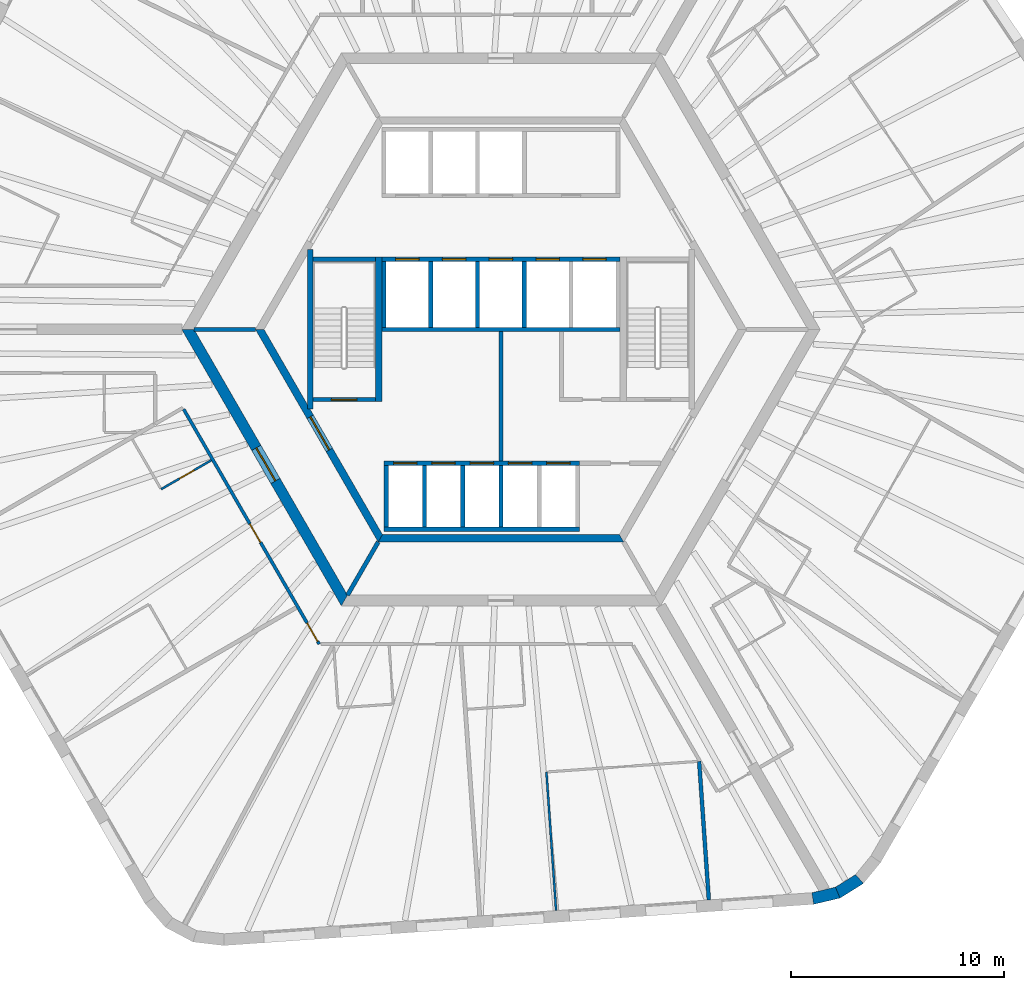
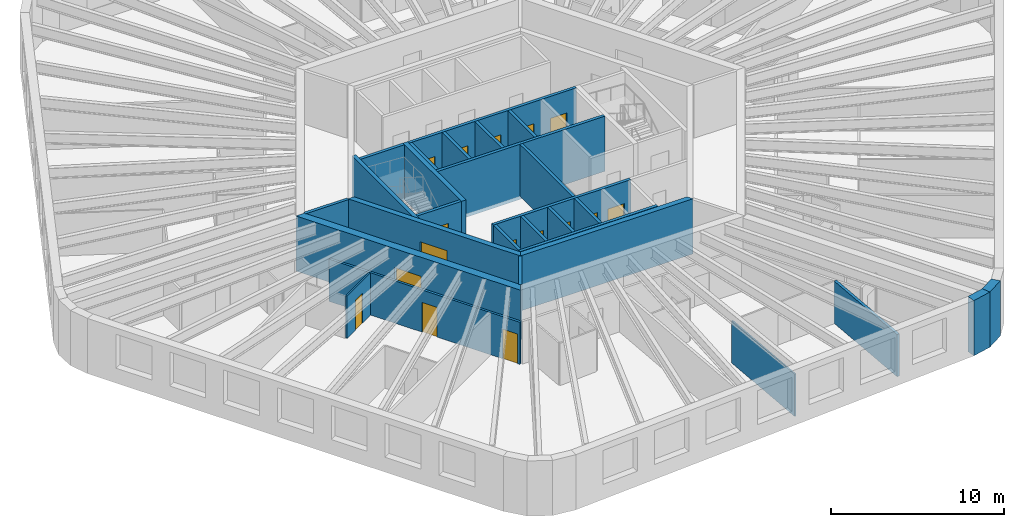
# One storey, part 4 of 10: 28 walls, 16 doors, 16 openings.
"""IFC4 building model written with IfcOpenShell, lengths in metres."""

from ifc_helpers import new_model, si_unit, direction, frame, frame_2d, origin, place, context, subcontext, project, spatial, polyline, rectangle, outline, extrude, material, layer, layer_set, type_object, element, fill, save


model = new_model("IFC4")

# Units and contexts
model_context = context("Model", 3, precision=1e-05, world=origin(), true_north=direction((0.0, 1.0)))
body_context = subcontext(model_context, "Body", "Model", "MODEL_VIEW")
ifc_project = project(units=[si_unit("LENGTHUNIT", "METRE"), si_unit("AREAUNIT", "SQUARE_METRE"), si_unit("VOLUMEUNIT", "CUBIC_METRE"), si_unit("PLANEANGLEUNIT", "RADIAN"), si_unit("MASSUNIT", "GRAM", prefix="KILO")], contexts=[model_context])

# Site, building, storey
site_placement = place(None, origin())
site = spatial("IfcSite", under=ifc_project, at=site_placement, CompositionType="ELEMENT")
building_placement = place(site_placement, origin())
building = spatial("IfcBuilding", under=site, at=building_placement, Name="Tarnside Tower", CompositionType="ELEMENT")
storey_placement = place(building_placement, frame((0.0, 0.0, 180.0)))
storey = spatial("IfcBuildingStorey", under=building, at=storey_placement, Name="L42", CompositionType="ELEMENT", Elevation=180.0)

# Wall, opening, door
ifc_material_1 = material(Name="Gypsum board partition on steel studs", Category="steel")
ifc_layer_1 = layer(ifc_material_1, 0.10009765625)
ifc_layer_set_1 = layer_set([ifc_layer_1], Name="Bathroom wall 100")
wall_type_1 = type_object("IfcWallType", Name="Bathroom wall 100", PredefinedType="PARTITIONING", material=ifc_layer_set_1)
wall_1_placement = place(storey_placement, frame((-13.623291015625, -6.154052734375, 0.0), z_axis=(0.0, 0.0, 1.0), x_axis=(-0.866051307416, -0.49995513091, 0.0)))
wall_1 = element("IfcWall", 1, at=wall_1_placement, inside=storey, type_object=wall_type_1, Name="Bathroom wall 13075", PredefinedType="PARTITIONING", context=body_context, shape_type="SweptSolid", body=[
    extrude(rectangle(XDim=2.724853515625, YDim=0.10009765625, at=frame_2d((1.3623046875, 0.0))), origin(), (0.0, 0.0, 1.0), 2.98779296875),
])
opening_1_placement = place(wall_1_placement, frame((0.925048828125, 0.0, 0.0)))
opening_1 = element("IfcOpeningElement", 2, at=opening_1_placement, cuts=wall_1, Name="Opening D-B1", PredefinedType="OPENING", context=body_context, shape_type="SweptSolid", body=[
    extrude(rectangle(XDim=0.800048828125, YDim=2.10009765625, at=frame_2d((0.39990234375, 1.050048828125))), frame((0.0, 0.06005859375, 0.0), z_axis=(0.0, -1.0, 0.0), x_axis=(1.0, 0.0, 0.0)), (0.0, 0.0, 1.0), 0.1201171875),
])
ifc_material_2 = material(Name="Timber door leaf", Category="wood")
door_type_1 = type_object("IfcDoorType", Name="Bathroom door 800", OperationType="NOTDEFINED", PredefinedType="DOOR", material=ifc_material_2)
door_1_placement = place(opening_1_placement, origin())
door_1 = element("IfcDoor", 3, at=door_1_placement, inside=storey, type_object=door_type_1, Name="Bathroom door 13015", OperationType="SINGLE_SWING_RIGHT", OverallHeight=2.10009765625, OverallWidth=0.800048828125, PredefinedType="DOOR", context=body_context, shape_type="SweptSolid", body=[
    extrude(rectangle(XDim=0.800048828125, YDim=2.10009765625, at=frame_2d((0.39990234375, 1.050048828125))), frame((0.0, 0.02490234375, 0.0), z_axis=(0.0, -1.0, 0.0), x_axis=(1.0, 0.0, 0.0)), (0.0, 0.0, 1.0), 0.050048828125),
])
fill(opening_1, door_1)

ifc_material_3 = material(Name="Concrete C50/60", Category="concrete")
ifc_layer_2 = layer(ifc_material_3, 0.35009765625)
ifc_layer_set_2 = layer_set([ifc_layer_2], Name="Core block wall 350 C50/60")
wall_type_2 = type_object("IfcWallType", Name="Core block wall 350 C50/60", PredefinedType="SHEAR", material=ifc_layer_set_2)
wall_2_placement = place(storey_placement, frame((-11.344970703125, 0.0, -0.14990234375), z_axis=(0.0, 0.0, 1.0), x_axis=(0.499995046907, -0.866028263435, 0.0)))
wall_2 = element("IfcWall", 4, at=wall_2_placement, inside=storey, type_object=wall_type_2, Name="L42 core block wall face 3", PredefinedType="SHEAR", context=body_context, shape_type="SweptSolid", body=[
    extrude(outline(polyline([(-0.10107421875, -0.175048828125), (11.44580078125, -0.175048828125), (11.24365234375, 0.175048828125), (0.10107421875, 0.175048828125), (-0.10107421875, -0.175048828125)])), origin(), (0.0, 0.0, 1.0), 3.89990234375),
])
opening_2_placement = place(wall_2_placement, frame((4.74365234375, 0.0, 0.14990234375)))
opening_2 = element("IfcOpeningElement", 5, at=opening_2_placement, cuts=wall_2, Name="Opening CD-FFL", PredefinedType="OPENING", context=body_context, shape_type="SweptSolid", body=[
    extrude(rectangle(XDim=1.800048828125, YDim=2.39990234375, at=frame_2d((0.89990234375, 1.199951171875))), frame((0.0, 0.18505859375, 0.0), z_axis=(0.0, -1.0, 0.0), x_axis=(1.0, 0.0, 0.0)), (0.0, 0.0, 1.0), 0.3701171875),
])
ifc_material_4 = material(Name="Steel fire door", Category="steel")
door_type_2 = type_object("IfcDoorType", Name="Firefighting lobby double door FD60S 1800x2400", OperationType="NOTDEFINED", PredefinedType="DOOR", material=ifc_material_4)
door_2_placement = place(opening_2_placement, origin())
door_2 = element("IfcDoor", 6, at=door_2_placement, inside=storey, type_object=door_type_2, Name="L42 lobby block door P3", OperationType="DOUBLE_DOOR_SINGLE_SWING", OverallHeight=2.39990234375, OverallWidth=1.800048828125, PredefinedType="DOOR", context=body_context, shape_type="SweptSolid", body=[
    extrude(rectangle(XDim=1.800048828125, YDim=2.39990234375, at=frame_2d((0.89990234375, 1.199951171875))), frame((0.0, 0.02490234375, 0.0), z_axis=(0.0, -1.0, 0.0), x_axis=(1.0, 0.0, 0.0)), (0.0, 0.0, 1.0), 0.050048828125),
])
fill(opening_2, door_2)

# Walls
wall_3_placement = place(storey_placement, frame((-5.672607421875, -9.824951171875, -0.14990234375), z_axis=(0.0, 0.0, 1.0), x_axis=(1.0, 0.0, 0.0)))
element("IfcWall", 7, at=wall_3_placement, inside=storey, type_object=wall_type_2, Name="L42 core block wall face 4", PredefinedType="SHEAR", context=body_context, shape_type="SweptSolid", body=[
    extrude(outline(polyline([(-0.10107421875, -0.175048828125), (11.4462890625, -0.175048828125), (11.244140625, 0.175048828125), (0.10107421875, 0.175048828125), (-0.10107421875, -0.175048828125)])), origin(), (0.0, 0.0, 1.0), 3.89990234375),
])
ifc_material_5 = material(Name="Concrete C40/50", Category="concrete")
ifc_layer_3 = layer(ifc_material_5, 0.199951171875)
ifc_layer_set_3 = layer_set([ifc_layer_3], Name="Core room partition 200 C40/50")
wall_type_3 = type_object("IfcWallType", Name="Core room partition 200 C40/50", PredefinedType="PARTITIONING", material=ifc_layer_set_3)
wall_4_placement = place(storey_placement, frame((0.0, -6.199951171875, 0.0), z_axis=(0.0, 0.0, 1.0), x_axis=(0.0, 1.0, 0.0)))
element("IfcWall", 8, at=wall_4_placement, inside=storey, type_object=wall_type_3, Name="L42 core partition X0", PredefinedType="PARTITIONING", context=body_context, shape_type="SweptSolid", body=[
    extrude(rectangle(XDim=6.099853515625, YDim=0.199951171875, at=frame_2d((3.0498046875, 0.0))), origin(), (0.0, 0.0, 1.0), 3.64990234375),
])

# Wall, opening, door
ifc_material_6 = material(Name="Concrete C70/85", Category="concrete")
ifc_layer_4 = layer(ifc_material_6, 0.5)
ifc_layer_set_4 = layer_set([ifc_layer_4], Name="Core wall Z2 500 C70/85")
wall_type_4 = type_object("IfcWallType", Name="Core wall Z2 500 C70/85", PredefinedType="SHEAR", material=ifc_layer_set_4)
wall_5_placement = place(storey_placement, frame((-14.722412109375, 0.0, -0.14990234375), z_axis=(0.0, 0.0, 1.0), x_axis=(0.50000571537, -0.866022103989, 0.0)))
wall_5 = element("IfcWall", 9, at=wall_5_placement, inside=storey, type_object=wall_type_4, Name="L42 core wall face 3", PredefinedType="SHEAR", context=body_context, shape_type="SweptSolid", body=[
    extrude(outline(polyline([(-0.144287109375, -0.25), (14.86669921875, -0.25), (14.578125, 0.25), (0.144287109375, 0.25), (-0.144287109375, -0.25)])), origin(), (0.0, 0.0, 1.0), 3.89990234375),
])
opening_3_placement = place(wall_5_placement, frame((6.432373046875, 0.0, 0.14990234375)))
opening_3 = element("IfcOpeningElement", 10, at=opening_3_placement, cuts=wall_5, Name="Opening CD-FFL", PredefinedType="OPENING", context=body_context, shape_type="SweptSolid", body=[
    extrude(rectangle(XDim=1.800048828125, YDim=2.39990234375, at=frame_2d((0.89990234375, 1.199951171875))), frame((0.0, 0.260009765625, 0.0), z_axis=(0.0, -1.0, 0.0), x_axis=(1.0, 0.0, 0.0)), (0.0, 0.0, 1.0), 0.52001953125),
])
door_3_placement = place(opening_3_placement, origin())
door_3 = element("IfcDoor", 11, at=door_3_placement, inside=storey, type_object=door_type_2, Name="L42 core door P3", OperationType="DOUBLE_DOOR_SINGLE_SWING", OverallHeight=2.39990234375, OverallWidth=1.800048828125, PredefinedType="DOOR", context=body_context, shape_type="SweptSolid", body=[
    extrude(rectangle(XDim=1.800048828125, YDim=2.39990234375, at=frame_2d((0.89990234375, 1.199951171875))), frame((0.0, 0.02490234375, 0.0), z_axis=(0.0, -1.0, 0.0), x_axis=(1.0, 0.0, 0.0)), (0.0, 0.0, 1.0), 0.050048828125),
])
fill(opening_3, door_3)

# Wall, openings, doors
ifc_layer_5 = layer(ifc_material_1, 0.14990234375)
ifc_layer_set_5 = layer_set([ifc_layer_5], Name="Corridor wall 150 EI 60")
wall_type_5 = type_object("IfcWallType", Name="Corridor wall 150 EI 60", PredefinedType="PARTITIONING", material=ifc_layer_set_5)
wall_6_placement = place(storey_placement, frame((-14.920654296875, -3.756591796875, 0.0), z_axis=(0.0, 0.0, 1.0), x_axis=(0.500001980452, -0.866024260367, 0.0)))
wall_6 = element("IfcWall", 12, at=wall_6_placement, inside=storey, type_object=wall_type_5, Name="Corridor wall 13021", PredefinedType="PARTITIONING", context=body_context, shape_type="SweptSolid", body=[
    extrude(rectangle(XDim=12.751953125, YDim=0.14990234375, at=frame_2d((6.3759765625, 0.0))), origin(), (0.0, 0.0, 1.0), 2.98779296875),
])
opening_4_placement = place(wall_6_placement, frame((6.22509765625, 0.0, 0.0)))
opening_4 = element("IfcOpeningElement", 13, at=opening_4_placement, cuts=wall_6, Name="Opening D-E1", PredefinedType="OPENING", context=body_context, shape_type="SweptSolid", body=[
    extrude(rectangle(XDim=1.0, YDim=2.10009765625, at=frame_2d((0.5, 1.050048828125))), frame((0.0, 0.0849609375, 0.0), z_axis=(0.0, -1.0, 0.0), x_axis=(1.0, 0.0, 0.0)), (0.0, 0.0, 1.0), 0.169921875),
])
opening_5_placement = place(wall_6_placement, frame((11.601806640625, 0.0, 0.0)))
opening_5 = element("IfcOpeningElement", 14, at=opening_5_placement, cuts=wall_6, Name="Opening D-E1", PredefinedType="OPENING", context=body_context, shape_type="SweptSolid", body=[
    extrude(rectangle(XDim=1.0, YDim=2.10009765625, at=frame_2d((0.5, 1.050048828125))), frame((0.0, 0.0849609375, 0.0), z_axis=(0.0, -1.0, 0.0), x_axis=(1.0, 0.0, 0.0)), (0.0, 0.0, 1.0), 0.169921875),
])
door_type_3 = type_object("IfcDoorType", Name="Unit entrance door 1000 FD30S", OperationType="NOTDEFINED", PredefinedType="DOOR", material=ifc_material_2)
door_4_placement = place(opening_4_placement, origin())
door_4 = element("IfcDoor", 15, at=door_4_placement, inside=storey, type_object=door_type_3, Name="Unit door 13014", OperationType="SINGLE_SWING_LEFT", OverallHeight=2.10009765625, OverallWidth=1.0, PredefinedType="DOOR", context=body_context, shape_type="SweptSolid", body=[
    extrude(rectangle(XDim=1.0, YDim=2.10009765625, at=frame_2d((0.5, 1.050048828125))), frame((0.0, 0.02490234375, 0.0), z_axis=(0.0, -1.0, 0.0), x_axis=(1.0, 0.0, 0.0)), (0.0, 0.0, 1.0), 0.050048828125),
])
fill(opening_4, door_4)
door_5_placement = place(opening_5_placement, origin())
door_5 = element("IfcDoor", 16, at=door_5_placement, inside=storey, type_object=door_type_3, Name="Unit door 13017", OperationType="SINGLE_SWING_LEFT", OverallHeight=2.10009765625, OverallWidth=1.0, PredefinedType="DOOR", context=body_context, shape_type="SweptSolid", body=[
    extrude(rectangle(XDim=1.0, YDim=2.10009765625, at=frame_2d((0.5, 1.050048828125))), frame((0.0, 0.02490234375, 0.0), z_axis=(0.0, -1.0, 0.0), x_axis=(1.0, 0.0, 0.0)), (0.0, 0.0, 1.0), 0.050048828125),
])
fill(opening_5, door_5)

# Wall
ifc_layer_6 = layer(ifc_material_1, 0.179931640625)
ifc_layer_set_6 = layer_set([ifc_layer_6], Name="Demising wall 180 EI 60")
wall_type_6 = type_object("IfcWallType", Name="Demising wall 180 EI 60", PredefinedType="PARTITIONING", material=ifc_layer_set_6)
wall_7_placement = place(storey_placement, frame((9.777587890625, -26.833251953125, 0.0), z_axis=(0.0, 0.0, 1.0), x_axis=(-0.069750353544, 0.997564478207, 0.0)))
element("IfcWall", 17, at=wall_7_placement, inside=storey, type_object=wall_type_6, Name="Demising wall 13091", PredefinedType="PARTITIONING", context=body_context, shape_type="SweptSolid", body=[
    extrude(rectangle(XDim=6.538330078125, YDim=0.179931640625, at=frame_2d((3.26904296875, 0.0))), origin(), (0.0, 0.0, 1.0), 2.98779296875),
])

# Wall, openings, doors
ifc_layer_7 = layer(ifc_material_5, 0.199951171875)
ifc_layer_set_7 = layer_set([ifc_layer_7], Name="Lift shaft wall 200 C40/50")
wall_type_7 = type_object("IfcWallType", Name="Lift shaft wall 200 C40/50", PredefinedType="SHEAR", material=ifc_layer_set_7)
wall_8_placement = place(storey_placement, frame((-5.60009765625, 3.300048828125, -0.25), z_axis=(0.0, 0.0, 1.0), x_axis=(1.0, 0.0, 0.0)))
wall_8 = element("IfcWall", 18, at=wall_8_placement, inside=storey, type_object=wall_type_7, Name="L42 lift shaft front wall R2", PredefinedType="SHEAR", context=body_context, shape_type="SweptSolid", body=[
    extrude(rectangle(XDim=11.2001953125, YDim=0.199951171875, at=frame_2d((5.60009765625, 0.0))), origin(), (0.0, 0.0, 1.0), 3.89990234375),
])
opening_6_placement = place(wall_8_placement, frame((0.64990234375, 0.0, 0.25)))
opening_6 = element("IfcOpeningElement", 19, at=opening_6_placement, cuts=wall_8, Name="Opening LD", PredefinedType="OPENING", context=body_context, shape_type="SweptSolid", body=[
    extrude(rectangle(XDim=1.10009765625, YDim=2.10009765625, at=frame_2d((0.550048828125, 1.050048828125))), frame((0.0, 0.10986328125, 0.0), z_axis=(0.0, -1.0, 0.0), x_axis=(1.0, 0.0, 0.0)), (0.0, 0.0, 1.0), 0.219970703125),
])
opening_7_placement = place(wall_8_placement, frame((2.85009765625, 0.0, 0.25)))
opening_7 = element("IfcOpeningElement", 20, at=opening_7_placement, cuts=wall_8, Name="Opening LD", PredefinedType="OPENING", context=body_context, shape_type="SweptSolid", body=[
    extrude(rectangle(XDim=1.10009765625, YDim=2.10009765625, at=frame_2d((0.550048828125, 1.050048828125))), frame((0.0, 0.10986328125, 0.0), z_axis=(0.0, -1.0, 0.0), x_axis=(1.0, 0.0, 0.0)), (0.0, 0.0, 1.0), 0.219970703125),
])
opening_8_placement = place(wall_8_placement, frame((5.050048828125, 0.0, 0.25)))
opening_8 = element("IfcOpeningElement", 21, at=opening_8_placement, cuts=wall_8, Name="Opening LD", PredefinedType="OPENING", context=body_context, shape_type="SweptSolid", body=[
    extrude(rectangle(XDim=1.10009765625, YDim=2.10009765625, at=frame_2d((0.550048828125, 1.050048828125))), frame((0.0, 0.10986328125, 0.0), z_axis=(0.0, -1.0, 0.0), x_axis=(1.0, 0.0, 0.0)), (0.0, 0.0, 1.0), 0.219970703125),
])
opening_9_placement = place(wall_8_placement, frame((7.25, 0.0, 0.25)))
opening_9 = element("IfcOpeningElement", 22, at=opening_9_placement, cuts=wall_8, Name="Opening LD", PredefinedType="OPENING", context=body_context, shape_type="SweptSolid", body=[
    extrude(rectangle(XDim=1.10009765625, YDim=2.10009765625, at=frame_2d((0.550048828125, 1.050048828125))), frame((0.0, 0.10986328125, 0.0), z_axis=(0.0, -1.0, 0.0), x_axis=(1.0, 0.0, 0.0)), (0.0, 0.0, 1.0), 0.219970703125),
])
opening_10_placement = place(wall_8_placement, frame((9.449951171875, 0.0, 0.25)))
opening_10 = element("IfcOpeningElement", 23, at=opening_10_placement, cuts=wall_8, Name="Opening LD", PredefinedType="OPENING", context=body_context, shape_type="SweptSolid", body=[
    extrude(rectangle(XDim=1.10009765625, YDim=2.10009765625, at=frame_2d((0.550048828125, 1.050048828125))), frame((0.0, 0.10986328125, 0.0), z_axis=(0.0, -1.0, 0.0), x_axis=(1.0, 0.0, 0.0)), (0.0, 0.0, 1.0), 0.219970703125),
])
ifc_material_7 = material(Name="Stainless steel", Category="steel")
door_type_4 = type_object("IfcDoorType", Name="Lift landing door 1100x2100", OperationType="NOTDEFINED", PredefinedType="DOOR", material=ifc_material_7)
door_6_placement = place(opening_6_placement, origin())
door_6 = element("IfcDoor", 24, at=door_6_placement, inside=storey, type_object=door_type_4, Name="Mid-rise lift 4 landing door L42", OperationType="SLIDING_TO_LEFT", OverallHeight=2.10009765625, OverallWidth=1.10009765625, PredefinedType="DOOR", context=body_context, shape_type="SweptSolid", body=[
    extrude(rectangle(XDim=1.10009765625, YDim=2.10009765625, at=frame_2d((0.550048828125, 1.050048828125))), frame((0.0, 0.02490234375, 0.0), z_axis=(0.0, -1.0, 0.0), x_axis=(1.0, 0.0, 0.0)), (0.0, 0.0, 1.0), 0.050048828125),
])
fill(opening_6, door_6)
door_7_placement = place(opening_7_placement, origin())
door_7 = element("IfcDoor", 25, at=door_7_placement, inside=storey, type_object=door_type_4, Name="Mid-rise lift 5 landing door L42", OperationType="SLIDING_TO_LEFT", OverallHeight=2.10009765625, OverallWidth=1.10009765625, PredefinedType="DOOR", context=body_context, shape_type="SweptSolid", body=[
    extrude(rectangle(XDim=1.10009765625, YDim=2.10009765625, at=frame_2d((0.550048828125, 1.050048828125))), frame((0.0, 0.02490234375, 0.0), z_axis=(0.0, -1.0, 0.0), x_axis=(1.0, 0.0, 0.0)), (0.0, 0.0, 1.0), 0.050048828125),
])
fill(opening_7, door_7)
door_8_placement = place(opening_8_placement, origin())
door_8 = element("IfcDoor", 26, at=door_8_placement, inside=storey, type_object=door_type_4, Name="Mid-rise lift 6 landing door L42", OperationType="SLIDING_TO_LEFT", OverallHeight=2.10009765625, OverallWidth=1.10009765625, PredefinedType="DOOR", context=body_context, shape_type="SweptSolid", body=[
    extrude(rectangle(XDim=1.10009765625, YDim=2.10009765625, at=frame_2d((0.550048828125, 1.050048828125))), frame((0.0, 0.02490234375, 0.0), z_axis=(0.0, -1.0, 0.0), x_axis=(1.0, 0.0, 0.0)), (0.0, 0.0, 1.0), 0.050048828125),
])
fill(opening_8, door_8)
door_9_placement = place(opening_9_placement, origin())
door_9 = element("IfcDoor", 27, at=door_9_placement, inside=storey, type_object=door_type_4, Name="High sky-lobby shuttle 1 landing door L42", OperationType="SLIDING_TO_LEFT", OverallHeight=2.10009765625, OverallWidth=1.10009765625, PredefinedType="DOOR", context=body_context, shape_type="SweptSolid", body=[
    extrude(rectangle(XDim=1.10009765625, YDim=2.10009765625, at=frame_2d((0.550048828125, 1.050048828125))), frame((0.0, 0.02490234375, 0.0), z_axis=(0.0, -1.0, 0.0), x_axis=(1.0, 0.0, 0.0)), (0.0, 0.0, 1.0), 0.050048828125),
])
fill(opening_9, door_9)
door_10_placement = place(opening_10_placement, origin())
door_10 = element("IfcDoor", 28, at=door_10_placement, inside=storey, type_object=door_type_4, Name="Express sky-lobby shuttle 2 landing door L42", OperationType="SLIDING_TO_LEFT", OverallHeight=2.10009765625, OverallWidth=1.10009765625, PredefinedType="DOOR", context=body_context, shape_type="SweptSolid", body=[
    extrude(rectangle(XDim=1.10009765625, YDim=2.10009765625, at=frame_2d((0.550048828125, 1.050048828125))), frame((0.0, 0.02490234375, 0.0), z_axis=(0.0, -1.0, 0.0), x_axis=(1.0, 0.0, 0.0)), (0.0, 0.0, 1.0), 0.050048828125),
])
fill(opening_10, door_10)

# Walls
wall_9_placement = place(storey_placement, frame((-5.60009765625, 0.0, -0.25), z_axis=(0.0, 0.0, 1.0), x_axis=(1.0, 0.0, 0.0)))
element("IfcWall", 29, at=wall_9_placement, inside=storey, type_object=wall_type_7, Name="L42 lift shaft back wall R2", PredefinedType="SHEAR", context=body_context, shape_type="SweptSolid", body=[
    extrude(rectangle(XDim=11.2001953125, YDim=0.199951171875, at=frame_2d((5.60009765625, 0.0))), origin(), (0.0, 0.0, 1.0), 3.89990234375),
])
for number, where, z_axis, x_axis, name in (
    (30, (-5.5, 0.10009765625, -0.25), (0.0, 0.0, 1.0), (0.0, 1.0, 0.0), "L42 lift shaft partition R21"),
    (31, (-3.300048828125, 0.10009765625, -0.25), (0.0, 0.0, 1.0), (0.0, 1.0, 0.0), "L42 lift shaft partition R22"),
    (32, (-1.10009765625, 0.10009765625, -0.25), (0.0, 0.0, 1.0), (0.0, 1.0, 0.0), "L42 lift shaft partition R23"),
    (33, (1.10009765625, 0.10009765625, -0.25), (0.0, 0.0, 1.0), (0.0, 1.0, 0.0), "L42 lift shaft partition R24"),
):
    element("IfcWall", number, at=place(storey_placement, frame(where, z_axis=z_axis, x_axis=x_axis)), inside=storey, type_object=wall_type_7, Name=name, PredefinedType="SHEAR", context=body_context, shape_type="SweptSolid", body=[
        extrude(rectangle(XDim=3.099853515625, YDim=0.199951171875, at=frame_2d((1.5498046875, 0.0))), origin(), (0.0, 0.0, 1.0), 3.89990234375),
    ])

# Wall, openings, doors
wall_10_placement = place(storey_placement, frame((-5.5, -6.300048828125, -0.25), z_axis=(0.0, 0.0, 1.0), x_axis=(1.0, 0.0, 0.0)))
wall_10 = element("IfcWall", 34, at=wall_10_placement, inside=storey, type_object=wall_type_7, Name="L42 lift shaft front wall R4", PredefinedType="SHEAR", context=body_context, shape_type="SweptSolid", body=[
    extrude(rectangle(XDim=9.199951171875, YDim=0.199951171875, at=frame_2d((4.60009765625, 0.0))), origin(), (0.0, 0.0, 1.0), 3.89990234375),
])
opening_11_placement = place(wall_10_placement, frame((0.449951171875, 0.0, 0.25)))
opening_11 = element("IfcOpeningElement", 35, at=opening_11_placement, cuts=wall_10, Name="Opening LDF", PredefinedType="OPENING", context=body_context, shape_type="SweptSolid", body=[
    extrude(rectangle(XDim=1.10009765625, YDim=2.10009765625, at=frame_2d((0.550048828125, 1.050048828125))), frame((0.0, 0.10986328125, 0.0), z_axis=(0.0, -1.0, 0.0), x_axis=(1.0, 0.0, 0.0)), (0.0, 0.0, 1.0), 0.219970703125),
])
opening_12_placement = place(wall_10_placement, frame((2.25, 0.0, 0.25)))
opening_12 = element("IfcOpeningElement", 36, at=opening_12_placement, cuts=wall_10, Name="Opening LDF", PredefinedType="OPENING", context=body_context, shape_type="SweptSolid", body=[
    extrude(rectangle(XDim=1.10009765625, YDim=2.10009765625, at=frame_2d((0.550048828125, 1.050048828125))), frame((0.0, 0.10986328125, 0.0), z_axis=(0.0, -1.0, 0.0), x_axis=(1.0, 0.0, 0.0)), (0.0, 0.0, 1.0), 0.219970703125),
])
opening_13_placement = place(wall_10_placement, frame((4.050048828125, 0.0, 0.25)))
opening_13 = element("IfcOpeningElement", 37, at=opening_13_placement, cuts=wall_10, Name="Opening LDF", PredefinedType="OPENING", context=body_context, shape_type="SweptSolid", body=[
    extrude(rectangle(XDim=1.10009765625, YDim=2.10009765625, at=frame_2d((0.550048828125, 1.050048828125))), frame((0.0, 0.10986328125, 0.0), z_axis=(0.0, -1.0, 0.0), x_axis=(1.0, 0.0, 0.0)), (0.0, 0.0, 1.0), 0.219970703125),
])
opening_14_placement = place(wall_10_placement, frame((5.85009765625, 0.0, 0.25)))
opening_14 = element("IfcOpeningElement", 38, at=opening_14_placement, cuts=wall_10, Name="Opening LDF", PredefinedType="OPENING", context=body_context, shape_type="SweptSolid", body=[
    extrude(rectangle(XDim=1.10009765625, YDim=2.10009765625, at=frame_2d((0.550048828125, 1.050048828125))), frame((0.0, 0.10986328125, 0.0), z_axis=(0.0, -1.0, 0.0), x_axis=(1.0, 0.0, 0.0)), (0.0, 0.0, 1.0), 0.219970703125),
])
opening_15_placement = place(wall_10_placement, frame((7.64990234375, 0.0, 0.25)))
opening_15 = element("IfcOpeningElement", 39, at=opening_15_placement, cuts=wall_10, Name="Opening LDF", PredefinedType="OPENING", context=body_context, shape_type="SweptSolid", body=[
    extrude(rectangle(XDim=1.10009765625, YDim=2.10009765625, at=frame_2d((0.550048828125, 1.050048828125))), frame((0.0, 0.10986328125, 0.0), z_axis=(0.0, -1.0, 0.0), x_axis=(1.0, 0.0, 0.0)), (0.0, 0.0, 1.0), 0.219970703125),
])
door_type_5 = type_object("IfcDoorType", Name="Lift landing door 1100x2100 EI 120", OperationType="NOTDEFINED", PredefinedType="DOOR", material=ifc_material_7)
door_11_placement = place(opening_11_placement, origin())
door_11 = element("IfcDoor", 40, at=door_11_placement, inside=storey, type_object=door_type_5, Name="Firefighting lift 1 landing door L42", OperationType="SLIDING_TO_LEFT", OverallHeight=2.10009765625, OverallWidth=1.10009765625, PredefinedType="DOOR", context=body_context, shape_type="SweptSolid", body=[
    extrude(rectangle(XDim=1.10009765625, YDim=2.10009765625, at=frame_2d((0.550048828125, 1.050048828125))), frame((0.0, 0.02490234375, 0.0), z_axis=(0.0, -1.0, 0.0), x_axis=(1.0, 0.0, 0.0)), (0.0, 0.0, 1.0), 0.050048828125),
])
fill(opening_11, door_11)
door_12_placement = place(opening_12_placement, origin())
door_12 = element("IfcDoor", 41, at=door_12_placement, inside=storey, type_object=door_type_5, Name="Firefighting lift 2 landing door L42", OperationType="SLIDING_TO_LEFT", OverallHeight=2.10009765625, OverallWidth=1.10009765625, PredefinedType="DOOR", context=body_context, shape_type="SweptSolid", body=[
    extrude(rectangle(XDim=1.10009765625, YDim=2.10009765625, at=frame_2d((0.550048828125, 1.050048828125))), frame((0.0, 0.02490234375, 0.0), z_axis=(0.0, -1.0, 0.0), x_axis=(1.0, 0.0, 0.0)), (0.0, 0.0, 1.0), 0.050048828125),
])
fill(opening_12, door_12)
door_13_placement = place(opening_13_placement, origin())
door_13 = element("IfcDoor", 42, at=door_13_placement, inside=storey, type_object=door_type_5, Name="Firefighting lift 3 landing door L42", OperationType="SLIDING_TO_LEFT", OverallHeight=2.10009765625, OverallWidth=1.10009765625, PredefinedType="DOOR", context=body_context, shape_type="SweptSolid", body=[
    extrude(rectangle(XDim=1.10009765625, YDim=2.10009765625, at=frame_2d((0.550048828125, 1.050048828125))), frame((0.0, 0.02490234375, 0.0), z_axis=(0.0, -1.0, 0.0), x_axis=(1.0, 0.0, 0.0)), (0.0, 0.0, 1.0), 0.050048828125),
])
fill(opening_13, door_13)
door_14_placement = place(opening_14_placement, origin())
door_14 = element("IfcDoor", 43, at=door_14_placement, inside=storey, type_object=door_type_5, Name="Firefighting lift 4 landing door L42", OperationType="SLIDING_TO_LEFT", OverallHeight=2.10009765625, OverallWidth=1.10009765625, PredefinedType="DOOR", context=body_context, shape_type="SweptSolid", body=[
    extrude(rectangle(XDim=1.10009765625, YDim=2.10009765625, at=frame_2d((0.550048828125, 1.050048828125))), frame((0.0, 0.02490234375, 0.0), z_axis=(0.0, -1.0, 0.0), x_axis=(1.0, 0.0, 0.0)), (0.0, 0.0, 1.0), 0.050048828125),
])
fill(opening_14, door_14)
door_15_placement = place(opening_15_placement, origin())
door_15 = element("IfcDoor", 44, at=door_15_placement, inside=storey, type_object=door_type_5, Name="Firefighting lift 5 landing door L42", OperationType="SLIDING_TO_LEFT", OverallHeight=2.10009765625, OverallWidth=1.10009765625, PredefinedType="DOOR", context=body_context, shape_type="SweptSolid", body=[
    extrude(rectangle(XDim=1.10009765625, YDim=2.10009765625, at=frame_2d((0.550048828125, 1.050048828125))), frame((0.0, 0.02490234375, 0.0), z_axis=(0.0, -1.0, 0.0), x_axis=(1.0, 0.0, 0.0)), (0.0, 0.0, 1.0), 0.050048828125),
])
fill(opening_15, door_15)

# Walls
wall_11_placement = place(storey_placement, frame((-5.5, -9.39990234375, -0.25), z_axis=(0.0, 0.0, 1.0), x_axis=(1.0, 0.0, 0.0)))
element("IfcWall", 45, at=wall_11_placement, inside=storey, type_object=wall_type_7, Name="L42 lift shaft back wall R4", PredefinedType="SHEAR", context=body_context, shape_type="SweptSolid", body=[
    extrude(rectangle(XDim=9.199951171875, YDim=0.199951171875, at=frame_2d((4.60009765625, 0.0))), origin(), (0.0, 0.0, 1.0), 3.89990234375),
])
for number, where, z_axis, x_axis, name in (
    (46, (-5.39990234375, -9.300048828125, -0.25), (0.0, 0.0, 1.0), (0.0, 1.0, 0.0), "L42 lift shaft partition R41"),
    (47, (-3.60009765625, -9.300048828125, -0.25), (0.0, 0.0, 1.0), (0.0, 1.0, 0.0), "L42 lift shaft partition R42"),
    (48, (-1.800048828125, -9.300048828125, -0.25), (0.0, 0.0, 1.0), (0.0, 1.0, 0.0), "L42 lift shaft partition R43"),
    (49, (0.0, -9.300048828125, -0.25), (0.0, 0.0, 1.0), (0.0, 1.0, 0.0), "L42 lift shaft partition R44"),
):
    element("IfcWall", number, at=place(storey_placement, frame(where, z_axis=z_axis, x_axis=x_axis)), inside=storey, type_object=wall_type_7, Name=name, PredefinedType="SHEAR", context=body_context, shape_type="SweptSolid", body=[
        extrude(rectangle(XDim=2.900146484375, YDim=0.199951171875, at=frame_2d((1.4501953125, 0.0))), origin(), (0.0, 0.0, 1.0), 3.89990234375),
    ])
for number, where, z_axis, x_axis, name in (
    (50, (-11.547119140625, 0.0, -0.14990234375), (0.0, 0.0, 1.0), (-1.0, 0.0, 0.0), "L42 core partition AR180"),
    (51, (-5.7734375, -10.0, -0.14990234375), (0.0, 0.0, 1.0), (-0.499995765644, -0.866027848477, 0.0), "L42 core partition AR240"),
):
    element("IfcWall", number, at=place(storey_placement, frame(where, z_axis=z_axis, x_axis=x_axis)), inside=storey, type_object=wall_type_7, Name=name, PredefinedType="SHEAR", context=body_context, shape_type="SweptSolid", body=[
        extrude(rectangle(XDim=2.88671875, YDim=0.199951171875, at=frame_2d((1.443359375, 0.0))), origin(), (0.0, 0.0, 1.0), 3.89990234375),
    ])
wall_12_placement = place(storey_placement, frame((-8.85009765625, 3.300048828125, -0.25), z_axis=(0.0, 0.0, 1.0), x_axis=(1.0, 0.0, 0.0)))
element("IfcWall", 52, at=wall_12_placement, inside=storey, type_object=wall_type_7, Name="L42 stair 2 enclosure cap wall n", PredefinedType="SHEAR", context=body_context, shape_type="SweptSolid", body=[
    extrude(rectangle(XDim=2.9501953125, YDim=0.199951171875, at=frame_2d((1.47509765625, 0.0))), origin(), (0.0, 0.0, 1.0), 3.89990234375),
])

# Wall, opening, door
wall_13_placement = place(storey_placement, frame((-8.85009765625, -3.300048828125, -0.25), z_axis=(0.0, 0.0, 1.0), x_axis=(1.0, 0.0, 0.0)))
wall_13 = element("IfcWall", 53, at=wall_13_placement, inside=storey, type_object=wall_type_7, Name="L42 stair 2 enclosure cap wall s", PredefinedType="SHEAR", context=body_context, shape_type="SweptSolid", body=[
    extrude(rectangle(XDim=2.9501953125, YDim=0.199951171875, at=frame_2d((1.47509765625, 0.0))), origin(), (0.0, 0.0, 1.0), 3.89990234375),
])
opening_16_placement = place(wall_13_placement, frame((0.875, 0.0, 0.25)))
opening_16 = element("IfcOpeningElement", 54, at=opening_16_placement, cuts=wall_13, Name="Opening CD-STR", PredefinedType="OPENING", context=body_context, shape_type="SweptSolid", body=[
    extrude(rectangle(XDim=1.199951171875, YDim=2.39990234375, at=frame_2d((0.60009765625, 1.199951171875))), frame((0.0, 0.10986328125, 0.0), z_axis=(0.0, -1.0, 0.0), x_axis=(1.0, 0.0, 0.0)), (0.0, 0.0, 1.0), 0.219970703125),
])
door_type_6 = type_object("IfcDoorType", Name="Stair door FD60S 1200x2400", OperationType="NOTDEFINED", PredefinedType="DOOR", material=ifc_material_4)
door_16_placement = place(opening_16_placement, origin())
door_16 = element("IfcDoor", 55, at=door_16_placement, inside=storey, type_object=door_type_6, Name="L42 stair 2 door", OperationType="SINGLE_SWING_LEFT", OverallHeight=2.39990234375, OverallWidth=1.199951171875, PredefinedType="DOOR", context=body_context, shape_type="SweptSolid", body=[
    extrude(rectangle(XDim=1.199951171875, YDim=2.39990234375, at=frame_2d((0.60009765625, 1.199951171875))), frame((0.0, 0.02490234375, 0.0), z_axis=(0.0, -1.0, 0.0), x_axis=(1.0, 0.0, 0.0)), (0.0, 0.0, 1.0), 0.050048828125),
])
fill(opening_16, door_16)

# Walls
ifc_layer_8 = layer(ifc_material_1, 0.10009765625)
ifc_layer_set_8 = layer_set([ifc_layer_8], Name="Partition 100")
wall_type_8 = type_object("IfcWallType", Name="Partition 100", PredefinedType="PARTITIONING", material=ifc_layer_set_8)
wall_14_placement = place(storey_placement, frame((2.59521484375, -27.33544921875, 0.0), z_axis=(0.0, 0.0, 1.0), x_axis=(-0.069771144576, 0.997563024267, 0.0)))
element("IfcWall", 56, at=wall_14_placement, inside=storey, type_object=wall_type_8, Name="Partition wall 13089", PredefinedType="PARTITIONING", context=body_context, shape_type="SweptSolid", body=[
    extrude(rectangle(XDim=6.536376953125, YDim=0.10009765625, at=frame_2d((3.26806640625, 0.0))), origin(), (0.0, 0.0, 1.0), 2.98779296875),
])
ifc_layer_9 = layer(ifc_material_5, 0.25)
ifc_layer_set_9 = layer_set([ifc_layer_9], Name="Stair enclosure wall 250 C40/50")
wall_type_9 = type_object("IfcWallType", Name="Stair enclosure wall 250 C40/50", PredefinedType="SHEAR", material=ifc_layer_set_9)
wall_15_placement = place(storey_placement, frame((-8.97509765625, -3.7548828125, -0.25), z_axis=(0.0, 0.0, 1.0), x_axis=(0.0, 1.0, 0.0)))
element("IfcWall", 57, at=wall_15_placement, inside=storey, type_object=wall_type_9, Name="L42 stair 2 enclosure wall outer", PredefinedType="SHEAR", context=body_context, shape_type="SweptSolid", body=[
    extrude(rectangle(XDim=7.509765625, YDim=0.25, at=frame_2d((3.7548828125, 0.0))), origin(), (0.0, 0.0, 1.0), 3.89990234375),
])
ifc_layer_10 = layer(ifc_material_5, 0.300048828125)
ifc_layer_set_10 = layer_set([ifc_layer_10], Name="Stair enclosure wall 300 C40/50")
wall_type_10 = type_object("IfcWallType", Name="Stair enclosure wall 300 C40/50", PredefinedType="SHEAR", material=ifc_layer_set_10)
wall_16_placement = place(storey_placement, frame((-5.75, -3.39990234375, -0.25), z_axis=(0.0, 0.0, 1.0), x_axis=(0.0, 1.0, 0.0)))
element("IfcWall", 58, at=wall_16_placement, inside=storey, type_object=wall_type_10, Name="L42 stair 2 enclosure wall inner", PredefinedType="SHEAR", context=body_context, shape_type="SweptSolid", body=[
    extrude(rectangle(XDim=6.7998046875, YDim=0.300048828125, at=frame_2d((3.39990234375, 0.0))), origin(), (0.0, 0.0, 1.0), 3.89990234375),
])
ifc_material_8 = material(Name="Facing brick", Category="masonry")
ifc_layer_11 = layer(ifc_material_8, 0.10205078125)
ifc_material_9 = material(Name="Concrete C60/75 precast", Category="concrete")
ifc_layer_12 = layer(ifc_material_9, 0.347900390625)
ifc_material_10 = material(Name="Mineral wool insulation")
ifc_layer_13 = layer(ifc_material_10, 0.10009765625)
ifc_layer_set_11 = layer_set([ifc_layer_11, ifc_layer_12, ifc_layer_13], Name="Tube wall 550 brick faced")
wall_type_11 = type_object("IfcWallType", Name="Tube wall 550 brick faced", PredefinedType="SOLIDWALL", material=ifc_layer_set_11)
wall_17_placement = place(storey_placement, frame((14.663818359375, -26.767333984375, -0.14990234375), z_axis=(0.0, 0.0, 1.0), x_axis=(0.973063591128, 0.230536868247, 0.0)))
element("IfcWall", 59, at=wall_17_placement, inside=storey, type_object=wall_type_11, Name="Tube wall L42 F4 chord 13", PredefinedType="SOLIDWALL", context=body_context, shape_type="SweptSolid", body=[
    extrude(outline(polyline([(-0.0224609375, -0.27490234375), (1.25341796875, -0.27490234375), (1.1630859375, 0.27490234375), (0.0224609375, 0.27490234375), (-0.0224609375, -0.27490234375)])), origin(), (0.0, 0.0, 1.0), 3.89990234375),
])
wall_18_placement = place(storey_placement, frame((15.839599609375, -26.48876953125, -0.14990234375), z_axis=(0.0, 0.0, 1.0), x_axis=(0.848009655012, 0.52998077796, 0.0)))
element("IfcWall", 60, at=wall_18_placement, inside=storey, type_object=wall_type_11, Name="Tube wall L42 F4 chord 14", PredefinedType="SOLIDWALL", context=body_context, shape_type="SweptSolid", body=[
    extrude(outline(polyline([(-0.045166015625, -0.27490234375), (1.25341796875, -0.27490234375), (1.1630859375, 0.27490234375), (0.045166015625, 0.27490234375), (-0.045166015625, -0.27490234375)])), origin(), (0.0, 0.0, 1.0), 3.89990234375),
])

save(model, "model.ifc")
